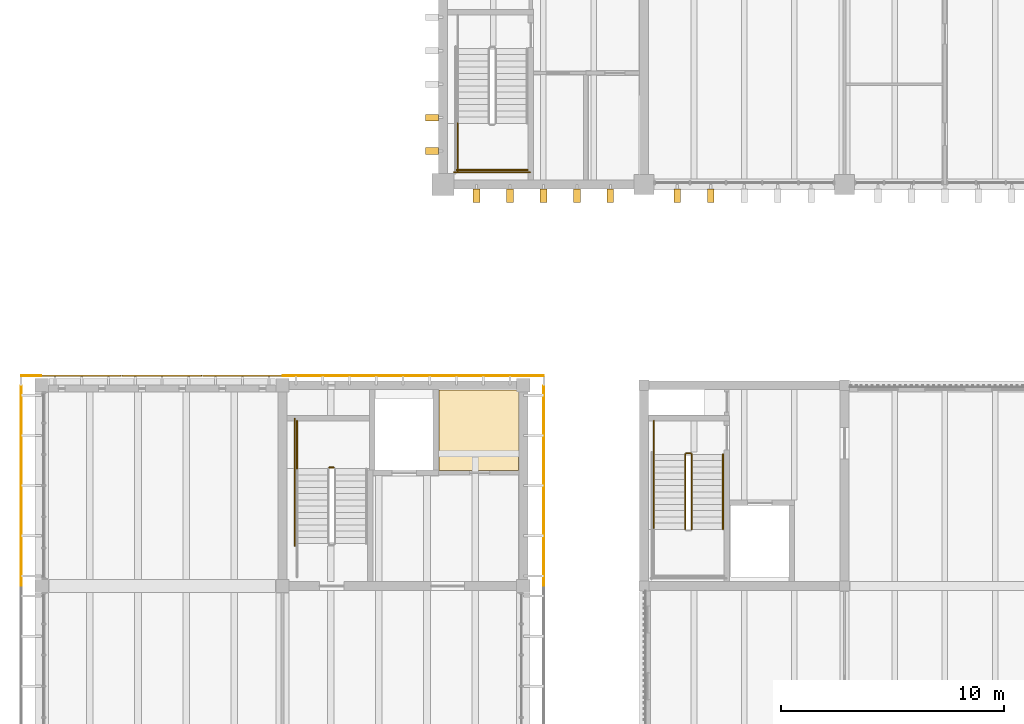
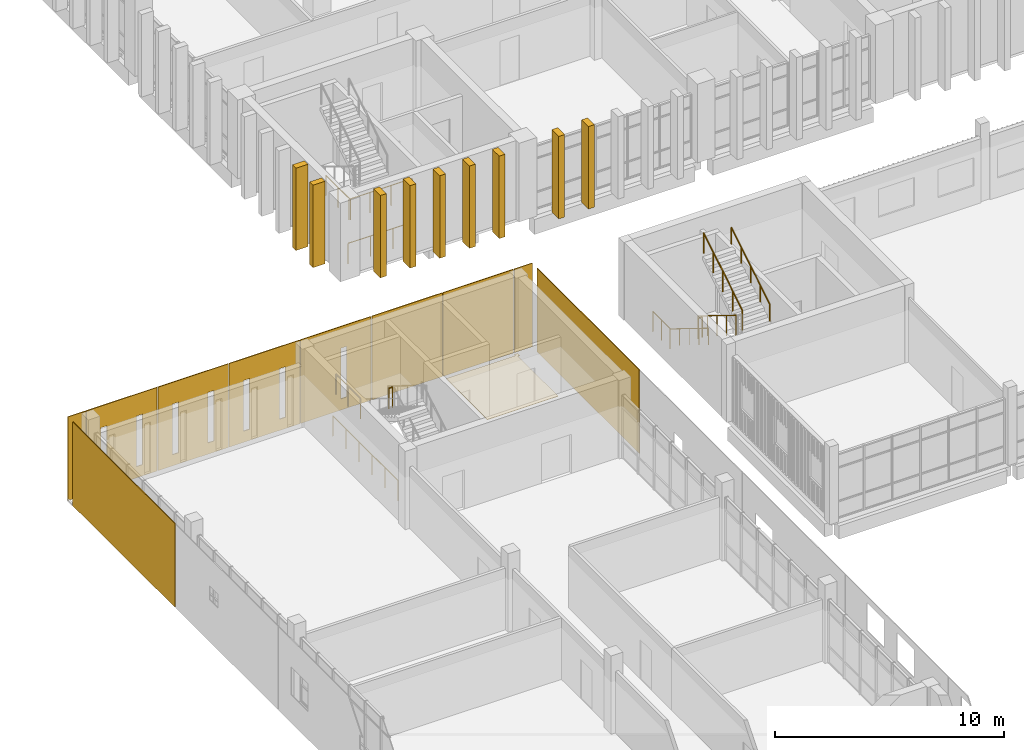
# One storey, part 82 of 88: 12 railings, 11 coverings, 9 shading devices.
"""IFC4 building model written with IfcOpenShell, lengths in metres."""

import ifcopenshell
import ifcopenshell.guid

model = None  # the IFC model being written
_history = None  # IfcOwnerHistory: only IFC2X3 demands one
_inside = {}  # id of a spatial element -> (the spatial element, [elements in it])
_under = {}  # id of a project, library or spatial element -> (it, [spatial elements below it])
_declared = {}  # id of a project -> (the project, [libraries it declares])
_typed = {}  # id of a type object -> (the type object, [elements of that type])
_made_of = {}  # id of a material, layer set ... -> (it, [elements and type objects made of it])


def new_model(schema):
    """Start an empty IFC model of exactly this schema.

    Asked for "IFC4X3", IfcOpenShell would pick the latest addendum, in which some entities
    have other attributes; the version numbers below select the first issue.
    IFC2X3 requires an IfcOwnerHistory on every rooted entity: one is made here for all.
    """
    global model, _history
    if schema == "IFC4X3":
        model = ifcopenshell.file(schema_version=(4, 3, 0, 0))
    else:
        model = ifcopenshell.file(schema=schema)
    _inside.clear()
    _under.clear()
    _declared.clear()
    _typed.clear()
    _made_of.clear()
    _history = None
    if model.schema == "IFC2X3":
        org = make("IfcOrganization", Name="unknown")
        user = make(
            "IfcPersonAndOrganization",
            ThePerson=make("IfcPerson", FamilyName="unknown"),
            TheOrganization=org,
        )
        app = make(
            "IfcApplication",
            ApplicationDeveloper=org,
            Version="unknown",
            ApplicationFullName="unknown",
            ApplicationIdentifier="unknown",
        )
        _history = make(
            "IfcOwnerHistory",
            OwningUser=user,
            OwningApplication=app,
            ChangeAction="ADDED",
            CreationDate=0,
        )
    return model


def make(cls, **values):
    """One entity of the class cls with the attributes given. An attribute that is None is left unset."""
    return model.create_entity(
        cls, **{name: value for name, value in values.items() if value is not None}
    )


def rooted(cls, **values):
    """An entity with a GlobalId (a new one), such as an element, a storey or a relation."""
    return make(cls, GlobalId=ifcopenshell.guid.new(), OwnerHistory=_history, **values)


def si_unit(unit_type, name, prefix=None):
    """IfcSIUnit, for example si_unit("LENGTHUNIT", "METRE", prefix="MILLI")."""
    return make("IfcSIUnit", UnitType=unit_type, Prefix=prefix, Name=name)


def assignment(units):
    """IfcUnitAssignment: the units of a project."""
    return None if units is None else make("IfcUnitAssignment", Units=units)


def point(xyz):
    """IfcCartesianPoint."""
    return None if xyz is None else make("IfcCartesianPoint", Coordinates=xyz)


def direction(xyz):
    """IfcDirection."""
    return None if xyz is None else make("IfcDirection", DirectionRatios=xyz)


def frame(location, z_axis=None, x_axis=None):
    """IfcAxis2Placement3D, a coordinate frame: its origin and axes. An axis left out is left unset."""
    return make(
        "IfcAxis2Placement3D",
        Location=point(location),
        Axis=direction(z_axis),
        RefDirection=direction(x_axis),
    )


def frame_2d(location, x_axis=None):
    """IfcAxis2Placement2D, a coordinate frame in the plane: its origin and x axis."""
    return make(
        "IfcAxis2Placement2D", Location=point(location), RefDirection=direction(x_axis)
    )


def origin():
    """The frame at (0, 0, 0) with its axes left unset."""
    return frame((0.0, 0.0, 0.0))


def origin_2d():
    """The frame at (0, 0) in the plane with its x axis left unset."""
    return frame_2d((0.0, 0.0))


def place(relative_to, where):
    """IfcLocalPlacement: puts the frame where relative to a parent placement (None: the world)."""
    return make(
        "IfcLocalPlacement", PlacementRelTo=relative_to, RelativePlacement=where
    )


def context(
    kind, dimensions, precision=None, world=None, true_north=None, identifier=None
):
    """IfcGeometricRepresentationContext, for example the 3D "Model" context."""
    return make(
        "IfcGeometricRepresentationContext",
        ContextIdentifier=identifier,
        ContextType=kind,
        CoordinateSpaceDimension=dimensions,
        Precision=precision,
        WorldCoordinateSystem=world,
        TrueNorth=true_north,
    )


def subcontext(parent, identifier, kind, view, scale=None):
    """IfcGeometricRepresentationSubContext, for example "Body" below "Model"."""
    return make(
        "IfcGeometricRepresentationSubContext",
        ContextIdentifier=identifier,
        ContextType=kind,
        ParentContext=parent,
        TargetScale=scale,
        TargetView=view,
    )


def project(units=None, contexts=None):
    """IfcProject with its units and contexts."""
    return rooted(
        "IfcProject",
        Name="project",
        RepresentationContexts=contexts,
        UnitsInContext=assignment(units),
    )


def spatial(cls, under=None, at=None, **own):
    """A site, building, storey or space (cls), placed at a placement, below another one or the project."""
    s = rooted(cls, ObjectPlacement=at, **own)
    if under is not None:
        _under.setdefault(under.id(), (under, []))[1].append(s)
    return s


def polyline(points):
    """IfcPolyline through the points."""
    return make("IfcPolyline", Points=[point(p) for p in points])


def profile(cls, at=None, kind="AREA", **sizes):
    """A parametric profile (cls). Its sizes go by their IFC names, for example OverallWidth=200.0."""
    return make(cls, ProfileType=kind, Position=at, **sizes)


def circle(**sizes):
    """IfcCircleProfileDef."""
    return profile("IfcCircleProfileDef", **sizes)


def outline(outer, holes=None, kind="AREA"):
    """IfcArbitraryClosedProfileDef: a profile drawn as a closed curve; with holes, ...WithVoids."""
    if holes is None:
        return make("IfcArbitraryClosedProfileDef", ProfileType=kind, OuterCurve=outer)
    return make(
        "IfcArbitraryProfileDefWithVoids",
        ProfileType=kind,
        OuterCurve=outer,
        InnerCurves=holes,
    )


def extrude(swept, where, along, depth):
    """IfcExtrudedAreaSolid: the profile swept, set in the frame where, extruded along a direction by depth."""
    return make(
        "IfcExtrudedAreaSolid",
        SweptArea=swept,
        Position=where,
        ExtrudedDirection=direction(along),
        Depth=depth,
    )


def shape(context_of_items, identifier, shape_type, items):
    """IfcShapeRepresentation: the items that make up one representation, for example the "Body"."""
    return make(
        "IfcShapeRepresentation",
        ContextOfItems=context_of_items,
        RepresentationIdentifier=identifier,
        RepresentationType=shape_type,
        Items=items,
    )


def source(mapping_origin, context_of_items, identifier, shape_type, items):
    """IfcRepresentationMap: a shape defined once, which mapped items show again and again."""
    return make(
        "IfcRepresentationMap",
        MappingOrigin=mapping_origin,
        MappedRepresentation=shape(context_of_items, identifier, shape_type, items),
    )


def transform(
    local_origin,
    x_axis=None,
    y_axis=None,
    z_axis=None,
    scale=None,
    scale2=None,
    scale3=None,
    uniform=True,
):
    """IfcCartesianTransformationOperator3D, or its non-uniform kind. x_axis, y_axis, z_axis: its Axis1, 2, 3."""
    if uniform:
        return make(
            "IfcCartesianTransformationOperator3D",
            Axis1=direction(x_axis),
            Axis2=direction(y_axis),
            LocalOrigin=point(local_origin),
            Scale=scale,
            Axis3=direction(z_axis),
        )
    return make(
        "IfcCartesianTransformationOperator3DnonUniform",
        Axis1=direction(x_axis),
        Axis2=direction(y_axis),
        LocalOrigin=point(local_origin),
        Scale=scale,
        Axis3=direction(z_axis),
        Scale2=scale2,
        Scale3=scale3,
    )


def mapped(mapping_source, mapping_target):
    """IfcMappedItem: shows the shape of a source again, moved by a transform."""
    return make(
        "IfcMappedItem", MappingSource=mapping_source, MappingTarget=mapping_target
    )


def material(Name=None, Category=None):
    """IfcMaterial."""
    return make("IfcMaterial", Name=Name, Category=Category)


def layer(
    of_material, thickness, ventilated=None, Name=None, Category=None, Priority=None
):
    """IfcMaterialLayer: one layer of a wall or slab, of a material (None: an air gap)."""
    return make(
        "IfcMaterialLayer",
        Material=of_material,
        LayerThickness=thickness,
        IsVentilated=ventilated,
        Name=Name,
        Category=Category,
        Priority=Priority,
    )


def layer_set(layers, Name=None):
    """IfcMaterialLayerSet."""
    return make("IfcMaterialLayerSet", MaterialLayers=layers, LayerSetName=Name)


def made_of(thing, what):
    """Note that an element or type object is made of a material, layer set ...; save() writes the relation."""
    if what is not None:
        _made_of.setdefault(what.id(), (what, []))[1].append(thing)
    return thing


def type_object(cls, material=None, **own):
    """A type object (cls), such as IfcWallType, which elements share."""
    return made_of(rooted(cls, **own), material)


def element(
    cls,
    number,
    at=None,
    inside=None,
    cuts=None,
    type_object=None,
    material=None,
    context=None,
    identifier="Body",
    shape_type=None,
    held_by="IfcProductDefinitionShape",
    body=None,
    shapes=None,
    **own,
):
    """One element of the class cls, such as IfcWall. Its Tag is "e" and its number.

    at: its placement. inside: the storey or other place that contains it. cuts: it is an
    opening in that element (IfcRelVoidsElement). A single representation is given by context,
    identifier, shape_type and body (its items); several are given by shapes. held_by: the class
    of the entity that holds the representations. save() writes the other relations.
    """
    e = rooted(cls, Tag="e%d" % number, ObjectPlacement=at, **own)
    if body is not None:
        shapes = [shape(context, identifier, shape_type, body)]
    if shapes is not None:
        e.Representation = make(held_by, Representations=shapes)
    if inside is not None:
        _inside.setdefault(inside.id(), (inside, []))[1].append(e)
    if cuts is not None:
        rooted(
            "IfcRelVoidsElement", RelatingBuildingElement=cuts, RelatedOpeningElement=e
        )
    if type_object is not None:
        _typed.setdefault(type_object.id(), (type_object, []))[1].append(e)
    return made_of(e, material)


def aggregate(whole, parts):
    """IfcRelAggregates: a whole, such as a stair, and the parts it consists of."""
    return rooted("IfcRelAggregates", RelatingObject=whole, RelatedObjects=parts)


def save(model, path):
    """Write the relations noted so far, then the file.

    IfcRelAggregates (storeys below a building ...), IfcRelContainedInSpatialStructure (elements
    in a storey), IfcRelDefinesByType, IfcRelAssociatesMaterial and IfcRelDeclares: one each for
    every whole, place, type object, material and project.
    """
    for whole, parts in _under.values():
        aggregate(whole, parts)
    for where, things in _inside.values():
        rooted(
            "IfcRelContainedInSpatialStructure",
            RelatedElements=things,
            RelatingStructure=where,
        )
    for kind, things in _typed.values():
        rooted("IfcRelDefinesByType", RelatedObjects=things, RelatingType=kind)
    for what, things in _made_of.values():
        rooted("IfcRelAssociatesMaterial", RelatedObjects=things, RelatingMaterial=what)
    for by, libraries in _declared.values():
        rooted("IfcRelDeclares", RelatingContext=by, RelatedDefinitions=libraries)
    model.write(path)


model = new_model("IFC4")

# Units and contexts
model_context = context("Model", 3, precision=1e-05, world=origin(), true_north=direction((0.0, 1.0)))
body_context = subcontext(model_context, "Body", "Model", "MODEL_VIEW")
ifc_project = project(units=[si_unit("LENGTHUNIT", "METRE"), si_unit("AREAUNIT", "SQUARE_METRE"), si_unit("VOLUMEUNIT", "CUBIC_METRE"), si_unit("PLANEANGLEUNIT", "RADIAN"), si_unit("MASSUNIT", "GRAM", prefix="KILO")], contexts=[model_context])

# Site, building, storey
site_placement = place(None, origin())
site = spatial("IfcSite", under=ifc_project, at=site_placement, CompositionType="ELEMENT")
building_placement = place(site_placement, origin())
building = spatial("IfcBuilding", under=site, at=building_placement, Name="Merrow Basin Faculty of Sciences", CompositionType="ELEMENT")
storey_placement = place(building_placement, frame((0.0, 0.0, 9.0)))
storey = spatial("IfcBuildingStorey", under=building, at=storey_placement, Name="L02", CompositionType="ELEMENT", Elevation=9.0)

# Covering
ifc_material_1 = material(Name="Carpet tile floor")
ifc_layer_1 = layer(ifc_material_1, 0.02001953125)
ifc_layer_set_1 = layer_set([ifc_layer_1], Name="Carpet tile floor")
covering_type_1 = type_object("IfcCoveringType", Name="Carpet tile floor", PredefinedType="FLOORING", material=ifc_layer_set_1)
covering_1_placement = place(storey_placement, origin())
element("IfcCovering", 1, at=covering_1_placement, inside=storey, type_object=covering_type_1, Name="Floor finish L02-B-013", PredefinedType="FLOORING", context=body_context, shape_type="SweptSolid", body=[
    extrude(outline(polyline([(21.389892578125, 129.18505859375), (17.81005859375, 129.18505859375), (17.81005859375, 132.7900390625), (21.31005859375, 132.7900390625), (21.31005859375, 132.889892578125), (21.489990234375, 132.889892578125), (21.489990234375, 132.7099609375), (21.389892578125, 132.7099609375), (21.389892578125, 129.18505859375)])), origin(), (0.0, 0.0, 1.0), 0.02001953125),
])

# Railings
ifc_material_2 = material(Name="Steel ASTM A36", Category="steel")
railing_type_1 = type_object("IfcRailingType", Name="Steel guard 1100", PredefinedType="GUARDRAIL", material=ifc_material_2)
railing_1_placement = place(storey_placement, frame((13.10009765625, 129.31005859375, 2.25)))
element("IfcRailing", 2, at=railing_1_placement, inside=storey, type_object=railing_type_1, Name="L02 ST-V4-N stair guard 2", PredefinedType="GUARDRAIL", context=body_context, shape_type="SweptSolid", body=[
    extrude(circle(Radius=0.02392578125, at=origin_2d()), frame((0.0, 0.0, 1.076171875), z_axis=(-1.0, 0.0, 0.0), x_axis=(0.0, -1.0, 0.0)), (0.0, 0.0, 1.0), 0.2001953125),
    extrude(circle(Radius=0.02099609375, at=origin_2d()), origin(), (0.0, 0.0, 1.0), 1.052001953125),
    extrude(circle(Radius=0.02099609375, at=origin_2d()), frame((-0.2001953125, 0.0, 0.0)), (0.0, 0.0, 1.0), 1.052001953125),
])
railing_2_placement = place(storey_placement, frame((11.449951171875, 129.260009765625, 2.25)))
element("IfcRailing", 3, at=railing_2_placement, inside=storey, type_object=railing_type_1, Name="L02 ST-V4-N stair guard 3", PredefinedType="GUARDRAIL", context=body_context, shape_type="SweptSolid", body=[
    extrude(circle(Radius=0.02392578125, at=origin_2d()), frame((0.0, 0.0, 1.076171875), z_axis=(0.0, 1.0, 0.0), x_axis=(-1.0, 0.0, 0.0)), (0.0, 0.0, 1.0), 2.139892578125),
    extrude(circle(Radius=0.02099609375, at=origin_2d()), origin(), (0.0, 0.0, 1.0), 1.052001953125),
    extrude(circle(Radius=0.02099609375, at=origin_2d()), frame((0.0, 1.06982421875, 0.0)), (0.0, 0.0, 1.0), 1.052001953125),
    extrude(circle(Radius=0.02099609375, at=origin_2d()), frame((0.0, 2.139892578125, 0.0)), (0.0, 0.0, 1.0), 1.052001953125),
])
railing_3_placement = place(storey_placement, frame((11.35009765625, 125.800048828125, 0.0)))
element("IfcRailing", 4, at=railing_3_placement, inside=storey, type_object=railing_type_1, Name="L02 ST-V4-N stair guard 7", PredefinedType="GUARDRAIL", context=body_context, shape_type="SweptSolid", body=[
    extrude(circle(Radius=0.02392578125, at=origin_2d()), frame((0.0, 0.0, 1.076171875), z_axis=(0.0, 1.0, 0.0), x_axis=(-1.0, 0.0, 0.0)), (0.0, 0.0, 1.0), 5.699951171875),
    extrude(circle(Radius=0.02099609375, at=origin_2d()), origin(), (0.0, 0.0, 1.0), 1.052001953125),
    extrude(circle(Radius=0.02099609375, at=origin_2d()), frame((0.0, 1.139892578125, 0.0)), (0.0, 0.0, 1.0), 1.052001953125),
    extrude(circle(Radius=0.02099609375, at=origin_2d()), frame((0.0, 2.280029296875, 0.0)), (0.0, 0.0, 1.0), 1.052001953125),
    extrude(circle(Radius=0.02099609375, at=origin_2d()), frame((0.0, 3.419921875, 0.0)), (0.0, 0.0, 1.0), 1.052001953125),
    extrude(circle(Radius=0.02099609375, at=origin_2d()), frame((0.0, 4.56005859375, 0.0)), (0.0, 0.0, 1.0), 1.052001953125),
    extrude(circle(Radius=0.02099609375, at=origin_2d()), frame((0.0, 5.699951171875, 0.0)), (0.0, 0.0, 1.0), 1.052001953125),
])
railing_4_placement = place(storey_placement, frame((28.85009765625, 129.89990234375, 0.173095703125)))
element("IfcRailing", 5, at=railing_4_placement, inside=storey, type_object=railing_type_1, Name="L02 ST-V2-W stair guard 1", PredefinedType="GUARDRAIL", context=body_context, shape_type="SweptSolid", body=[
    extrude(circle(Radius=0.02392578125, at=origin_2d()), frame((0.0, 0.0, 1.076171875), z_axis=(0.0, -0.850606129759, 0.525803396734), x_axis=(1.0, 0.0, 0.0)), (0.0, 0.0, 1.0), 3.949951171875),
    extrude(circle(Radius=0.02099609375, at=origin_2d()), origin(), (0.0, 0.0, 1.0), 1.052001953125),
    extrude(circle(Radius=0.02099609375, at=origin_2d()), frame((0.0, -0.83984375, 0.519287109375)), (0.0, 0.0, 1.0), 1.052001953125),
    extrude(circle(Radius=0.02099609375, at=origin_2d()), frame((0.0, -1.679931640625, 1.03857421875)), (0.0, 0.0, 1.0), 1.052001953125),
    extrude(circle(Radius=0.02099609375, at=origin_2d()), frame((0.0, -2.52001953125, 1.5576171875)), (0.0, 0.0, 1.0), 1.052001953125),
    extrude(circle(Radius=0.02099609375, at=origin_2d()), frame((0.0, -3.35986328125, 2.076904296875)), (0.0, 0.0, 1.0), 1.052001953125),
])
railing_5_placement = place(storey_placement, frame((29.14990234375, 126.5400390625, 2.423095703125)))
element("IfcRailing", 6, at=railing_5_placement, inside=storey, type_object=railing_type_1, Name="L02 ST-V2-W stair guard 5", PredefinedType="GUARDRAIL", context=body_context, shape_type="SweptSolid", body=[
    extrude(circle(Radius=0.02392578125, at=origin_2d()), frame((0.0, 0.0, 1.076171875), z_axis=(0.0, 0.850606129759, 0.525803396734), x_axis=(-1.0, 0.0, 0.0)), (0.0, 0.0, 1.0), 3.949951171875),
    extrude(circle(Radius=0.02099609375, at=origin_2d()), origin(), (0.0, 0.0, 1.0), 1.052001953125),
    extrude(circle(Radius=0.02099609375, at=origin_2d()), frame((0.0, 0.83984375, 0.519287109375)), (0.0, 0.0, 1.0), 1.052001953125),
    extrude(circle(Radius=0.02099609375, at=origin_2d()), frame((0.0, 1.679931640625, 1.03857421875)), (0.0, 0.0, 1.0), 1.052001953125),
    extrude(circle(Radius=0.02099609375, at=origin_2d()), frame((0.0, 2.52001953125, 1.5576171875)), (0.0, 0.0, 1.0), 1.052001953125),
    extrude(circle(Radius=0.02099609375, at=origin_2d()), frame((0.0, 3.35986328125, 2.076904296875)), (0.0, 0.0, 1.0), 1.052001953125),
])
railing_6_placement = place(storey_placement, frame((28.89990234375, 129.949951171875, 0.0)))
element("IfcRailing", 7, at=railing_6_placement, inside=storey, type_object=railing_type_1, Name="L02 ST-V2-W stair guard 6", PredefinedType="GUARDRAIL", context=body_context, shape_type="SweptSolid", body=[
    extrude(circle(Radius=0.02392578125, at=origin_2d()), frame((0.0, 0.0, 1.076171875), z_axis=(1.0, 0.0, 0.0), x_axis=(0.0, 1.0, 0.0)), (0.0, 0.0, 1.0), 0.2001953125),
    extrude(circle(Radius=0.02099609375, at=origin_2d()), origin(), (0.0, 0.0, 1.0), 1.052001953125),
    extrude(circle(Radius=0.02099609375, at=origin_2d()), frame((0.2001953125, 0.0, 0.0)), (0.0, 0.0, 1.0), 1.052001953125),
])
railing_7_placement = place(storey_placement, frame((27.449951171875, 131.39990234375, 0.0)))
element("IfcRailing", 8, at=railing_7_placement, inside=storey, type_object=railing_type_1, Name="L02 ST-V2-W stair guard 7", PredefinedType="GUARDRAIL", context=body_context, shape_type="SweptSolid", body=[
    extrude(circle(Radius=0.02392578125, at=origin_2d()), frame((0.0, 0.0, 1.076171875), z_axis=(0.0, -1.0, 0.0), x_axis=(1.0, 0.0, 0.0)), (0.0, 0.0, 1.0), 1.5),
    extrude(circle(Radius=0.02099609375, at=origin_2d()), origin(), (0.0, 0.0, 1.0), 1.052001953125),
    extrude(circle(Radius=0.02099609375, at=origin_2d()), frame((0.0, -0.75, 0.0)), (0.0, 0.0, 1.0), 1.052001953125),
    extrude(circle(Radius=0.02099609375, at=origin_2d()), frame((0.0, -1.5, 0.0)), (0.0, 0.0, 1.0), 1.052001953125),
])
railing_8_placement = place(storey_placement, frame((18.64990234375, 144.739990234375, 2.25)))
element("IfcRailing", 9, at=railing_8_placement, inside=storey, type_object=railing_type_1, Name="L02 ST-V5-W stair guard 3", PredefinedType="GUARDRAIL", context=body_context, shape_type="SweptSolid", body=[
    extrude(circle(Radius=0.02392578125, at=origin_2d()), frame((0.0, 0.0, 1.076171875), z_axis=(0.0, -1.0, 0.0), x_axis=(1.0, 0.0, 0.0)), (0.0, 0.0, 1.0), 2.139892578125),
    extrude(circle(Radius=0.02099609375, at=origin_2d()), origin(), (0.0, 0.0, 1.0), 1.052001953125),
    extrude(circle(Radius=0.02099609375, at=origin_2d()), frame((0.0, -1.06982421875, 0.0)), (0.0, 0.0, 1.0), 1.052001953125),
    extrude(circle(Radius=0.02099609375, at=origin_2d()), frame((0.0, -2.139892578125, 0.0)), (0.0, 0.0, 1.0), 1.052001953125),
])
railing_9_placement = place(storey_placement, frame((18.60009765625, 142.64990234375, 2.25)))
element("IfcRailing", 10, at=railing_9_placement, inside=storey, type_object=railing_type_1, Name="L02 ST-V5-W stair guard 4", PredefinedType="GUARDRAIL", context=body_context, shape_type="SweptSolid", body=[
    extrude(circle(Radius=0.02392578125, at=origin_2d()), frame((0.0, 0.0, 1.076171875), z_axis=(1.0, 0.0, 0.0), x_axis=(0.0, 1.0, 0.0)), (0.0, 0.0, 1.0), 3.199951171875),
    extrude(circle(Radius=0.02099609375, at=origin_2d()), origin(), (0.0, 0.0, 1.0), 1.052001953125),
    extrude(circle(Radius=0.02099609375, at=origin_2d()), frame((1.066650390625, 0.0, 0.0)), (0.0, 0.0, 1.0), 1.052001953125),
    extrude(circle(Radius=0.02099609375, at=origin_2d()), frame((2.13330078125, 0.0, 0.0)), (0.0, 0.0, 1.0), 1.052001953125),
    extrude(circle(Radius=0.02099609375, at=origin_2d()), frame((3.199951171875, 0.0, 0.0)), (0.0, 0.0, 1.0), 1.052001953125),
])
railing_10_placement = place(storey_placement, frame((18.5, 142.550048828125, 0.0)))
element("IfcRailing", 11, at=railing_10_placement, inside=storey, type_object=railing_type_1, Name="L02 ST-V5-W stair guard 9", PredefinedType="GUARDRAIL", context=body_context, shape_type="SweptSolid", body=[
    extrude(circle(Radius=0.02392578125, at=origin_2d()), frame((0.0, 0.0, 1.076171875), z_axis=(1.0, 0.0, 0.0), x_axis=(0.0, 1.0, 0.0)), (0.0, 0.0, 1.0), 3.39990234375),
    extrude(circle(Radius=0.02099609375, at=origin_2d()), origin(), (0.0, 0.0, 1.0), 1.052001953125),
    extrude(circle(Radius=0.02099609375, at=origin_2d()), frame((1.13330078125, 0.0, 0.0)), (0.0, 0.0, 1.0), 1.052001953125),
    extrude(circle(Radius=0.02099609375, at=origin_2d()), frame((2.2666015625, 0.0, 0.0)), (0.0, 0.0, 1.0), 1.052001953125),
    extrude(circle(Radius=0.02099609375, at=origin_2d()), frame((3.39990234375, 0.0, 0.0)), (0.0, 0.0, 1.0), 1.052001953125),
])
ifc_material_3 = material(Name="Steel ASTM A36", Category="steel")
railing_type_2 = type_object("IfcRailingType", Name="Steel handrail 900", PredefinedType="HANDRAIL", material=ifc_material_3)
railing_11_placement = place(storey_placement, frame((27.449951171875, 129.89990234375, 0.173095703125)))
element("IfcRailing", 12, at=railing_11_placement, inside=storey, type_object=railing_type_2, Name="L02 ST-V2-W stair handrail 1", PredefinedType="HANDRAIL", context=body_context, shape_type="SweptSolid", body=[
    extrude(circle(Radius=0.02392578125, at=origin_2d()), frame((0.0, 0.0, 0.8759765625), z_axis=(0.0, -0.850606129759, 0.525803396734), x_axis=(1.0, 0.0, 0.0)), (0.0, 0.0, 1.0), 3.949951171875),
    extrude(circle(Radius=0.02099609375, at=origin_2d()), origin(), (0.0, 0.0, 1.0), 0.851806640625),
    extrude(circle(Radius=0.02099609375, at=origin_2d()), frame((0.0, -0.83984375, 0.519287109375)), (0.0, 0.0, 1.0), 0.851806640625),
    extrude(circle(Radius=0.02099609375, at=origin_2d()), frame((0.0, -1.679931640625, 1.03857421875)), (0.0, 0.0, 1.0), 0.851806640625),
    extrude(circle(Radius=0.02099609375, at=origin_2d()), frame((0.0, -2.52001953125, 1.5576171875)), (0.0, 0.0, 1.0), 0.851806640625),
    extrude(circle(Radius=0.02099609375, at=origin_2d()), frame((0.0, -3.35986328125, 2.076904296875)), (0.0, 0.0, 1.0), 0.851806640625),
])
railing_12_placement = place(storey_placement, frame((30.550048828125, 126.5400390625, 2.423095703125)))
element("IfcRailing", 13, at=railing_12_placement, inside=storey, type_object=railing_type_2, Name="L02 ST-V2-W stair handrail 2", PredefinedType="HANDRAIL", context=body_context, shape_type="SweptSolid", body=[
    extrude(circle(Radius=0.02392578125, at=origin_2d()), frame((0.0, 0.0, 0.8759765625), z_axis=(0.0, 0.850606129759, 0.525803396734), x_axis=(-1.0, 0.0, 0.0)), (0.0, 0.0, 1.0), 3.949951171875),
    extrude(circle(Radius=0.02099609375, at=origin_2d()), origin(), (0.0, 0.0, 1.0), 0.851806640625),
    extrude(circle(Radius=0.02099609375, at=origin_2d()), frame((0.0, 0.83984375, 0.519287109375)), (0.0, 0.0, 1.0), 0.851806640625),
    extrude(circle(Radius=0.02099609375, at=origin_2d()), frame((0.0, 1.679931640625, 1.03857421875)), (0.0, 0.0, 1.0), 0.851806640625),
    extrude(circle(Radius=0.02099609375, at=origin_2d()), frame((0.0, 2.52001953125, 1.5576171875)), (0.0, 0.0, 1.0), 0.851806640625),
    extrude(circle(Radius=0.02099609375, at=origin_2d()), frame((0.0, 3.35986328125, 2.076904296875)), (0.0, 0.0, 1.0), 0.851806640625),
])

# Coverings
ifc_material_4 = material(Name="White powder-coated aluminium", Category="aluminium")
ifc_layer_2 = layer(ifc_material_4, 0.0400390625)
ifc_layer_set_2 = layer_set([ifc_layer_2], Name="Perforated panel 9000 x 4500")
covering_type_2 = type_object("IfcCoveringType", Name="Perforated panel 9000 x 4500", PredefinedType="CLADDING", material=ifc_layer_set_2)
shared_shape_1 = source(origin(), body_context, "Body", "SweptSolid", [
    extrude(outline(polyline([(0.02001953125, 0.02001953125), (8.97998046875, 0.02001953125), (8.97998046875, 4.47998046875), (0.02001953125, 4.47998046875), (0.02001953125, 0.02001953125)])), origin(), (0.0, 0.0, 1.0), 0.0400390625),
])
covering_2_placement = place(storey_placement, frame((-0.93994140625, 124.0, -0.320068359375), z_axis=(1.0, 0.0, 0.0), x_axis=(0.0, 1.0, 0.0)))
element("IfcCovering", 14, at=covering_2_placement, inside=storey, type_object=covering_type_2, Name="Perforated panel WL02-08", PredefinedType="CLADDING", context=body_context, shape_type="MappedRepresentation", body=[
    mapped(shared_shape_1, transform((0.0, 0.0, 0.0), scale=1.0)),
])
shared_shape_2 = source(origin(), body_context, "Body", "SweptSolid", [
    extrude(outline(polyline([(0.02001953125, 0.02001953125), (8.97998046875, 0.02001953125), (8.97998046875, 4.47998046875), (0.02001953125, 4.47998046875), (0.02001953125, 0.02001953125)])), origin(), (0.0, 0.0, 1.0), 0.0400390625),
])
covering_3_placement = place(storey_placement, frame((22.5400390625, 133.0, -0.320068359375), z_axis=(-1.0, 0.0, 0.0), x_axis=(0.0, -1.0, 0.0)))
element("IfcCovering", 15, at=covering_3_placement, inside=storey, type_object=covering_type_2, Name="Perforated panel EL02-08", PredefinedType="CLADDING", context=body_context, shape_type="MappedRepresentation", body=[
    mapped(shared_shape_2, transform((0.0, 0.0, 0.0), scale=1.0)),
])
ifc_material_5 = material(Name="White powder-coated aluminium", Category="aluminium")
ifc_layer_3 = layer(ifc_material_5, 0.0400390625)
ifc_layer_set_3 = layer_set([ifc_layer_3], Name="End corner panel 940 x 4500")
covering_type_3 = type_object("IfcCoveringType", Name="End corner panel 940 x 4500", PredefinedType="CLADDING", material=ifc_layer_set_3)
shared_shape_3 = source(origin(), body_context, "Body", "SweptSolid", [
    extrude(outline(polyline([(0.02001953125, 0.02001953125), (0.919921875, 0.02001953125), (0.919921875, 4.47998046875), (0.02001953125, 4.47998046875), (0.02001953125, 0.02001953125)])), origin(), (0.0, 0.0, 1.0), 0.0400390625),
])
covering_4_placement = place(storey_placement, frame((-0.93994140625, 133.43994140625, -0.320068359375), z_axis=(0.0, -1.0, 0.0), x_axis=(1.0, 0.0, 0.0)))
element("IfcCovering", 16, at=covering_4_placement, inside=storey, type_object=covering_type_3, Name="End panel NL02-01", PredefinedType="CLADDING", context=body_context, shape_type="MappedRepresentation", body=[
    mapped(shared_shape_3, transform((0.0, 0.0, 0.0), scale=1.0)),
])
ifc_material_6 = material(Name="White powder-coated aluminium", Category="aluminium")
ifc_layer_4 = layer(ifc_material_6, 0.0400390625)
ifc_layer_set_4 = layer_set([ifc_layer_4], Name="End panel 3600 x 4500")
covering_type_4 = type_object("IfcCoveringType", Name="End panel 3600 x 4500", PredefinedType="CLADDING", material=ifc_layer_set_4)
shared_shape_4 = source(origin(), body_context, "Body", "SweptSolid", [
    extrude(outline(polyline([(0.02001953125, 0.02001953125), (3.580078125, 0.02001953125), (3.580078125, 4.47998046875), (0.02001953125, 4.47998046875), (0.02001953125, 0.02001953125)]), holes=[polyline([(0.75, 0.6201171875), (1.050048828125, 0.6201171875), (1.050048828125, 3.320068359375), (0.75, 3.320068359375), (0.75, 0.6201171875)]), polyline([(2.550048828125, 0.6201171875), (2.85009765625, 0.6201171875), (2.85009765625, 3.320068359375), (2.550048828125, 3.320068359375), (2.550048828125, 0.6201171875)])]), origin(), (0.0, 0.0, 1.0), 0.0400390625),
])
covering_5_placement = place(storey_placement, frame((0.0, 133.43994140625, -0.320068359375), z_axis=(0.0, -1.0, 0.0), x_axis=(1.0, 0.0, 0.0)))
element("IfcCovering", 17, at=covering_5_placement, inside=storey, type_object=covering_type_4, Name="End panel NL02-02", PredefinedType="CLADDING", context=body_context, shape_type="MappedRepresentation", body=[
    mapped(shared_shape_4, transform((0.0, 0.0, 0.0), scale=1.0)),
])
shared_shape_5 = source(origin(), body_context, "Body", "SweptSolid", [
    extrude(outline(polyline([(0.02001953125, 0.02001953125), (3.580078125, 0.02001953125), (3.580078125, 4.47998046875), (0.02001953125, 4.47998046875), (0.02001953125, 0.02001953125)]), holes=[polyline([(0.75, 0.6201171875), (1.050048828125, 0.6201171875), (1.050048828125, 3.320068359375), (0.75, 3.320068359375), (0.75, 0.6201171875)]), polyline([(2.550048828125, 0.6201171875), (2.85009765625, 0.6201171875), (2.85009765625, 3.320068359375), (2.550048828125, 3.320068359375), (2.550048828125, 0.6201171875)])]), origin(), (0.0, 0.0, 1.0), 0.0400390625),
])
covering_6_placement = place(storey_placement, frame((3.60009765625, 133.43994140625, -0.320068359375), z_axis=(0.0, -1.0, 0.0), x_axis=(1.0, 0.0, 0.0)))
element("IfcCovering", 18, at=covering_6_placement, inside=storey, type_object=covering_type_4, Name="End panel NL02-03", PredefinedType="CLADDING", context=body_context, shape_type="MappedRepresentation", body=[
    mapped(shared_shape_5, transform((0.0, 0.0, 0.0), scale=1.0)),
])
shared_shape_6 = source(origin(), body_context, "Body", "SweptSolid", [
    extrude(outline(polyline([(0.02001953125, 0.02001953125), (3.580078125, 0.02001953125), (3.580078125, 4.47998046875), (0.02001953125, 4.47998046875), (0.02001953125, 0.02001953125)]), holes=[polyline([(0.75, 0.6201171875), (1.050048828125, 0.6201171875), (1.050048828125, 3.320068359375), (0.75, 3.320068359375), (0.75, 0.6201171875)]), polyline([(2.550048828125, 0.6201171875), (2.85009765625, 0.6201171875), (2.85009765625, 3.320068359375), (2.550048828125, 3.320068359375), (2.550048828125, 0.6201171875)])]), origin(), (0.0, 0.0, 1.0), 0.0400390625),
])
covering_7_placement = place(storey_placement, frame((7.199951171875, 133.43994140625, -0.320068359375), z_axis=(0.0, -1.0, 0.0), x_axis=(1.0, 0.0, 0.0)))
element("IfcCovering", 19, at=covering_7_placement, inside=storey, type_object=covering_type_4, Name="End panel NL02-04", PredefinedType="CLADDING", context=body_context, shape_type="MappedRepresentation", body=[
    mapped(shared_shape_6, transform((0.0, 0.0, 0.0), scale=1.0)),
])
shared_shape_7 = source(origin(), body_context, "Body", "SweptSolid", [
    extrude(outline(polyline([(0.02001953125, 0.02001953125), (3.580078125, 0.02001953125), (3.580078125, 4.47998046875), (0.02001953125, 4.47998046875), (0.02001953125, 0.02001953125)]), holes=[polyline([(2.050048828125, 0.6201171875), (2.35009765625, 0.6201171875), (2.35009765625, 3.320068359375), (2.050048828125, 3.320068359375), (2.050048828125, 0.6201171875)])]), origin(), (0.0, 0.0, 1.0), 0.0400390625),
])
covering_8_placement = place(storey_placement, frame((10.800048828125, 133.43994140625, -0.320068359375), z_axis=(0.0, -1.0, 0.0), x_axis=(1.0, 0.0, 0.0)))
element("IfcCovering", 20, at=covering_8_placement, inside=storey, type_object=covering_type_4, Name="End panel NL02-05", PredefinedType="CLADDING", context=body_context, shape_type="MappedRepresentation", body=[
    mapped(shared_shape_7, transform((0.0, 0.0, 0.0), scale=1.0)),
])
shared_shape_8 = source(origin(), body_context, "Body", "SweptSolid", [
    extrude(outline(polyline([(0.02001953125, 0.02001953125), (3.580078125, 0.02001953125), (3.580078125, 4.47998046875), (0.02001953125, 4.47998046875), (0.02001953125, 0.02001953125)])), origin(), (0.0, 0.0, 1.0), 0.0400390625),
])
covering_9_placement = place(storey_placement, frame((14.39990234375, 133.43994140625, -0.320068359375), z_axis=(0.0, -1.0, 0.0), x_axis=(1.0, 0.0, 0.0)))
element("IfcCovering", 21, at=covering_9_placement, inside=storey, type_object=covering_type_4, Name="End panel NL02-06", PredefinedType="CLADDING", context=body_context, shape_type="MappedRepresentation", body=[
    mapped(shared_shape_8, transform((0.0, 0.0, 0.0), scale=1.0)),
])
shared_shape_9 = source(origin(), body_context, "Body", "SweptSolid", [
    extrude(outline(polyline([(0.02001953125, 0.02001953125), (3.580078125, 0.02001953125), (3.580078125, 4.47998046875), (0.02001953125, 4.47998046875), (0.02001953125, 0.02001953125)])), origin(), (0.0, 0.0, 1.0), 0.0400390625),
])
covering_10_placement = place(storey_placement, frame((18.0, 133.43994140625, -0.320068359375), z_axis=(0.0, -1.0, 0.0), x_axis=(1.0, 0.0, 0.0)))
element("IfcCovering", 22, at=covering_10_placement, inside=storey, type_object=covering_type_4, Name="End panel NL02-07", PredefinedType="CLADDING", context=body_context, shape_type="MappedRepresentation", body=[
    mapped(shared_shape_9, transform((0.0, 0.0, 0.0), scale=1.0)),
])
shared_shape_10 = source(origin(), body_context, "Body", "SweptSolid", [
    extrude(outline(polyline([(0.02001953125, 0.02001953125), (0.919921875, 0.02001953125), (0.919921875, 4.47998046875), (0.02001953125, 4.47998046875), (0.02001953125, 0.02001953125)])), origin(), (0.0, 0.0, 1.0), 0.0400390625),
])
covering_11_placement = place(storey_placement, frame((21.60009765625, 133.43994140625, -0.320068359375), z_axis=(0.0, -1.0, 0.0), x_axis=(1.0, 0.0, 0.0)))
element("IfcCovering", 23, at=covering_11_placement, inside=storey, type_object=covering_type_3, Name="End panel NL02-08", PredefinedType="CLADDING", context=body_context, shape_type="MappedRepresentation", body=[
    mapped(shared_shape_10, transform((0.0, 0.0, 0.0), scale=1.0)),
])

# Shading devices
ifc_material_7 = material(Name="White precast concrete C50/60", Category="concrete")
shading_device_type = type_object("IfcShadingDeviceType", Name="White precast fin 300 x 600", PredefinedType="USERDEFINED", material=ifc_material_7)
shared_shape_11 = source(origin(), body_context, "Body", "SweptSolid", [
    extrude(outline(polyline([(0.0, 0.0), (0.300048828125, 0.0), (0.300048828125, 4.39990234375), (0.0, 4.39990234375), (0.0, 0.0)])), origin(), (0.0, 0.0, 1.0), 0.60009765625),
])
for number, where, z_axis, x_axis, name in (
    (24, (19.35009765625, 141.800048828125, -0.25), (0.0, -1.0, 0.0), (1.0, 0.0, 0.0), "Brise-soleil fin SL02"),
    (25, (20.85009765625, 141.800048828125, -0.25), (0.0, -1.0, 0.0), (1.0, 0.0, 0.0), "Brise-soleil fin SL02"),
    (26, (22.35009765625, 141.800048828125, -0.25), (0.0, -1.0, 0.0), (1.0, 0.0, 0.0), "Brise-soleil fin SL02"),
    (27, (23.85009765625, 141.800048828125, -0.25), (0.0, -1.0, 0.0), (1.0, 0.0, 0.0), "Brise-soleil fin SL02"),
    (28, (25.35009765625, 141.800048828125, -0.25), (0.0, -1.0, 0.0), (1.0, 0.0, 0.0), "Brise-soleil fin SL02"),
    (29, (28.35009765625, 141.800048828125, -0.25), (0.0, -1.0, 0.0), (1.0, 0.0, 0.0), "Brise-soleil fin SL02"),
    (30, (29.85009765625, 141.800048828125, -0.25), (0.0, -1.0, 0.0), (1.0, 0.0, 0.0), "Brise-soleil fin SL02"),
    (31, (17.800048828125, 143.64990234375, -0.25), (-1.0, 0.0, 0.0), (0.0, -1.0, 0.0), "Brise-soleil fin WL02"),
    (32, (17.800048828125, 145.14990234375, -0.25), (-1.0, 0.0, 0.0), (0.0, -1.0, 0.0), "Brise-soleil fin WL02"),
):
    element("IfcShadingDevice", number, at=place(storey_placement, frame(where, z_axis=z_axis, x_axis=x_axis)), inside=storey, type_object=shading_device_type, Name=name, ObjectType="FIN", PredefinedType="USERDEFINED", context=body_context, shape_type="MappedRepresentation", body=[
        mapped(shared_shape_11, transform((0.0, 0.0, 0.0), scale=1.0)),
    ])

save(model, "model.ifc")
